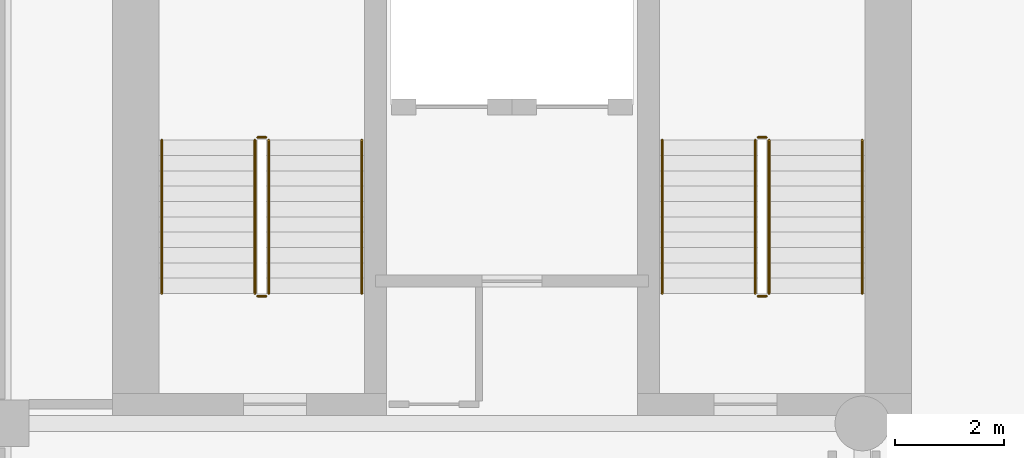
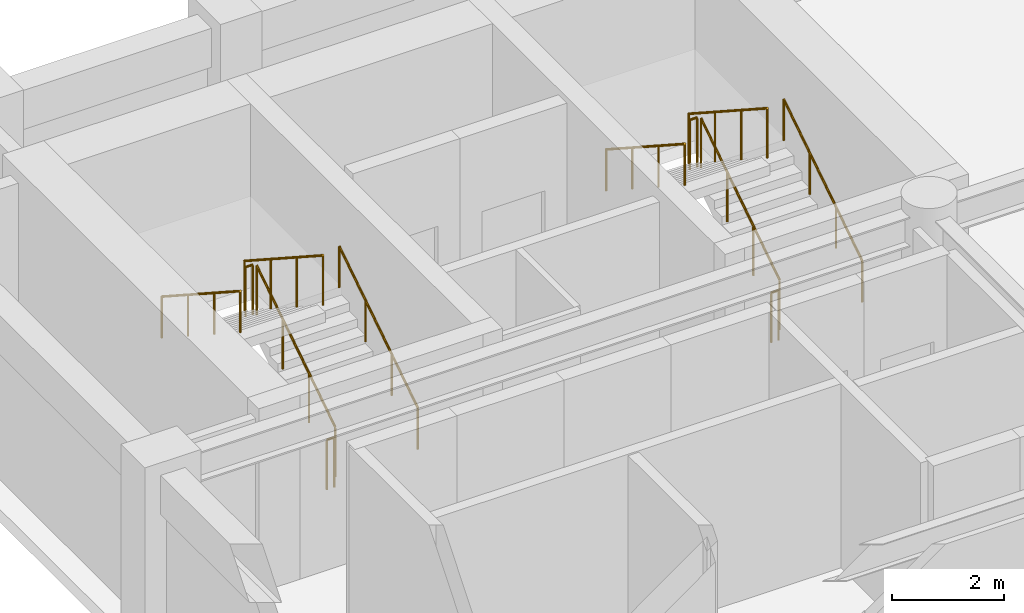
# One storey, part 7 of 8: 12 railings.
"""IFC4 building model written with IfcOpenShell, lengths in metres."""

from ifc_helpers import new_model, si_unit, direction, frame, origin, origin_2d, place, context, subcontext, project, spatial, circle, extrude, material, type_object, element, save


model = new_model("IFC4")

# Units and contexts
model_context = context("Model", 3, precision=1e-05, world=origin(), true_north=direction((0.0, 1.0)))
body_context = subcontext(model_context, "Body", "Model", "MODEL_VIEW")
ifc_project = project(units=[si_unit("LENGTHUNIT", "METRE"), si_unit("AREAUNIT", "SQUARE_METRE"), si_unit("VOLUMEUNIT", "CUBIC_METRE"), si_unit("PLANEANGLEUNIT", "RADIAN"), si_unit("MASSUNIT", "GRAM", prefix="KILO")], contexts=[model_context])

# Site, building, storey
site_placement = place(None, origin())
site = spatial("IfcSite", under=ifc_project, at=site_placement, CompositionType="ELEMENT")
building_placement = place(site_placement, origin())
building = spatial("IfcBuilding", under=site, at=building_placement, Name="Sulina Concourse Tower", CompositionType="ELEMENT")
storey_placement = place(building_placement, frame((0.0, 0.0, 124.60009765625)))
storey = spatial("IfcBuildingStorey", under=building, at=storey_placement, Name="L30", CompositionType="ELEMENT", Elevation=124.60009765625)

# Railings
ifc_material_1 = material(Name="Galvanised steel railing", Category="steel")
railing_type_1 = type_object("IfcRailingType", Name="Core Stair Steel Guardrail 1150mm", PredefinedType="GUARDRAIL", material=ifc_material_1)
railing_1_placement = place(storey_placement, frame((5.554931640625, 36.375, 0.181640625)))
element("IfcRailing", 1, at=railing_1_placement, inside=storey, type_object=railing_type_1, Name="L30 ST-1 stair guard 1", PredefinedType="GUARDRAIL", context=body_context, shape_type="SweptSolid", body=[
    extrude(circle(Radius=0.02392578125, at=origin_2d()), frame((0.0, 0.0, 1.076171875), z_axis=(0.0, 0.838672427954, 0.544636170843), x_axis=(-1.0, 0.0, 0.0)), (0.0, 0.0, 1.0), 3.338623046875),
    extrude(circle(Radius=0.02099609375, at=origin_2d()), origin(), (0.0, 0.0, 1.0), 1.052001953125),
    extrude(circle(Radius=0.02099609375, at=origin_2d()), frame((0.0, 0.933349609375, 0.606201171875)), (0.0, 0.0, 1.0), 1.052001953125),
    extrude(circle(Radius=0.02099609375, at=origin_2d()), frame((0.0, 1.86669921875, 1.212158203125)), (0.0, 0.0, 1.0), 1.052001953125),
    extrude(circle(Radius=0.02099609375, at=origin_2d()), frame((0.0, 2.800048828125, 1.818359375)), (0.0, 0.0, 1.0), 1.052001953125),
])
railing_2_placement = place(storey_placement, frame((5.5048828125, 39.22509765625, 2.0)))
element("IfcRailing", 2, at=railing_2_placement, inside=storey, type_object=railing_type_1, Name="L30 ST-1 stair guard 2", PredefinedType="GUARDRAIL", context=body_context, shape_type="SweptSolid", body=[
    extrude(circle(Radius=0.02392578125, at=origin_2d()), frame((0.0, 0.0, 1.076171875), z_axis=(-1.0, 0.0, 0.0), x_axis=(0.0, -1.0, 0.0)), (0.0, 0.0, 1.0), 0.14990234375),
    extrude(circle(Radius=0.02099609375, at=origin_2d()), origin(), (0.0, 0.0, 1.0), 1.052001953125),
    extrude(circle(Radius=0.02099609375, at=origin_2d()), frame((-0.14990234375, 0.0, 0.0)), (0.0, 0.0, 1.0), 1.052001953125),
])
railing_3_placement = place(storey_placement, frame((5.304931640625, 39.175048828125, 2.181640625)))
element("IfcRailing", 3, at=railing_3_placement, inside=storey, type_object=railing_type_1, Name="L30 ST-1 stair guard 3", PredefinedType="GUARDRAIL", context=body_context, shape_type="SweptSolid", body=[
    extrude(circle(Radius=0.02392578125, at=origin_2d()), frame((0.0, 0.0, 1.076171875), z_axis=(0.0, -0.838672427954, 0.544636170843), x_axis=(1.0, 0.0, 0.0)), (0.0, 0.0, 1.0), 3.338623046875),
    extrude(circle(Radius=0.02099609375, at=origin_2d()), origin(), (0.0, 0.0, 1.0), 1.052001953125),
    extrude(circle(Radius=0.02099609375, at=origin_2d()), frame((0.0, -0.933349609375, 0.606201171875)), (0.0, 0.0, 1.0), 1.052001953125),
    extrude(circle(Radius=0.02099609375, at=origin_2d()), frame((0.0, -1.86669921875, 1.212158203125)), (0.0, 0.0, 1.0), 1.052001953125),
    extrude(circle(Radius=0.02099609375, at=origin_2d()), frame((0.0, -2.800048828125, 1.818359375)), (0.0, 0.0, 1.0), 1.052001953125),
])
railing_4_placement = place(storey_placement, frame((5.5048828125, 36.324951171875, 0.0)))
element("IfcRailing", 4, at=railing_4_placement, inside=storey, type_object=railing_type_1, Name="L30 ST-1 stair guard 4", PredefinedType="GUARDRAIL", context=body_context, shape_type="SweptSolid", body=[
    extrude(circle(Radius=0.02392578125, at=origin_2d()), frame((0.0, 0.0, 1.076171875), z_axis=(-1.0, 0.0, 0.0), x_axis=(0.0, -1.0, 0.0)), (0.0, 0.0, 1.0), 0.14990234375),
    extrude(circle(Radius=0.02099609375, at=origin_2d()), origin(), (0.0, 0.0, 1.0), 1.052001953125),
    extrude(circle(Radius=0.02099609375, at=origin_2d()), frame((-0.14990234375, 0.0, 0.0)), (0.0, 0.0, 1.0), 1.052001953125),
])
railing_5_placement = place(storey_placement, frame((14.695068359375, 36.375, 0.181640625)))
element("IfcRailing", 5, at=railing_5_placement, inside=storey, type_object=railing_type_1, Name="L30 ST-2 stair guard 1", PredefinedType="GUARDRAIL", context=body_context, shape_type="SweptSolid", body=[
    extrude(circle(Radius=0.02392578125, at=origin_2d()), frame((0.0, 0.0, 1.076171875), z_axis=(0.0, 0.838672427954, 0.544636170843), x_axis=(-1.0, 0.0, 0.0)), (0.0, 0.0, 1.0), 3.338623046875),
    extrude(circle(Radius=0.02099609375, at=origin_2d()), origin(), (0.0, 0.0, 1.0), 1.052001953125),
    extrude(circle(Radius=0.02099609375, at=origin_2d()), frame((0.0, 0.933349609375, 0.606201171875)), (0.0, 0.0, 1.0), 1.052001953125),
    extrude(circle(Radius=0.02099609375, at=origin_2d()), frame((0.0, 1.86669921875, 1.212158203125)), (0.0, 0.0, 1.0), 1.052001953125),
    extrude(circle(Radius=0.02099609375, at=origin_2d()), frame((0.0, 2.800048828125, 1.818359375)), (0.0, 0.0, 1.0), 1.052001953125),
])
railing_6_placement = place(storey_placement, frame((14.64501953125, 39.22509765625, 2.0)))
element("IfcRailing", 6, at=railing_6_placement, inside=storey, type_object=railing_type_1, Name="L30 ST-2 stair guard 2", PredefinedType="GUARDRAIL", context=body_context, shape_type="SweptSolid", body=[
    extrude(circle(Radius=0.02392578125, at=origin_2d()), frame((0.0, 0.0, 1.076171875), z_axis=(-1.0, 0.0, 0.0), x_axis=(0.0, -1.0, 0.0)), (0.0, 0.0, 1.0), 0.14990234375),
    extrude(circle(Radius=0.02099609375, at=origin_2d()), origin(), (0.0, 0.0, 1.0), 1.052001953125),
    extrude(circle(Radius=0.02099609375, at=origin_2d()), frame((-0.14990234375, 0.0, 0.0)), (0.0, 0.0, 1.0), 1.052001953125),
])
railing_7_placement = place(storey_placement, frame((14.445068359375, 39.175048828125, 2.181640625)))
element("IfcRailing", 7, at=railing_7_placement, inside=storey, type_object=railing_type_1, Name="L30 ST-2 stair guard 3", PredefinedType="GUARDRAIL", context=body_context, shape_type="SweptSolid", body=[
    extrude(circle(Radius=0.02392578125, at=origin_2d()), frame((0.0, 0.0, 1.076171875), z_axis=(0.0, -0.838672427954, 0.544636170843), x_axis=(1.0, 0.0, 0.0)), (0.0, 0.0, 1.0), 3.338623046875),
    extrude(circle(Radius=0.02099609375, at=origin_2d()), origin(), (0.0, 0.0, 1.0), 1.052001953125),
    extrude(circle(Radius=0.02099609375, at=origin_2d()), frame((0.0, -0.933349609375, 0.606201171875)), (0.0, 0.0, 1.0), 1.052001953125),
    extrude(circle(Radius=0.02099609375, at=origin_2d()), frame((0.0, -1.86669921875, 1.212158203125)), (0.0, 0.0, 1.0), 1.052001953125),
    extrude(circle(Radius=0.02099609375, at=origin_2d()), frame((0.0, -2.800048828125, 1.818359375)), (0.0, 0.0, 1.0), 1.052001953125),
])
railing_8_placement = place(storey_placement, frame((14.64501953125, 36.324951171875, 0.0)))
element("IfcRailing", 8, at=railing_8_placement, inside=storey, type_object=railing_type_1, Name="L30 ST-2 stair guard 4", PredefinedType="GUARDRAIL", context=body_context, shape_type="SweptSolid", body=[
    extrude(circle(Radius=0.02392578125, at=origin_2d()), frame((0.0, 0.0, 1.076171875), z_axis=(-1.0, 0.0, 0.0), x_axis=(0.0, -1.0, 0.0)), (0.0, 0.0, 1.0), 0.14990234375),
    extrude(circle(Radius=0.02099609375, at=origin_2d()), origin(), (0.0, 0.0, 1.0), 1.052001953125),
    extrude(circle(Radius=0.02099609375, at=origin_2d()), frame((-0.14990234375, 0.0, 0.0)), (0.0, 0.0, 1.0), 1.052001953125),
])
ifc_material_2 = material(Name="Galvanised steel railing", Category="steel")
railing_type_2 = type_object("IfcRailingType", Name="Stair Wall Steel Handrail 920mm", PredefinedType="HANDRAIL", material=ifc_material_2)
railing_9_placement = place(storey_placement, frame((7.2548828125, 36.375, 0.181640625)))
element("IfcRailing", 9, at=railing_9_placement, inside=storey, type_object=railing_type_2, Name="L30 ST-1 stair handrail 1", PredefinedType="HANDRAIL", context=body_context, shape_type="SweptSolid", body=[
    extrude(circle(Radius=0.02392578125, at=origin_2d()), frame((0.0, 0.0, 0.89599609375), z_axis=(0.0, 0.838672427954, 0.544636170843), x_axis=(-1.0, 0.0, 0.0)), (0.0, 0.0, 1.0), 3.338623046875),
    extrude(circle(Radius=0.02099609375, at=origin_2d()), origin(), (0.0, 0.0, 1.0), 0.871826171875),
    extrude(circle(Radius=0.02099609375, at=origin_2d()), frame((0.0, 0.933349609375, 0.606201171875)), (0.0, 0.0, 1.0), 0.871826171875),
    extrude(circle(Radius=0.02099609375, at=origin_2d()), frame((0.0, 1.86669921875, 1.212158203125)), (0.0, 0.0, 1.0), 0.871826171875),
    extrude(circle(Radius=0.02099609375, at=origin_2d()), frame((0.0, 2.800048828125, 1.818359375)), (0.0, 0.0, 1.0), 0.871826171875),
])
railing_10_placement = place(storey_placement, frame((3.60498046875, 39.175048828125, 2.181640625)))
element("IfcRailing", 10, at=railing_10_placement, inside=storey, type_object=railing_type_2, Name="L30 ST-1 stair handrail 2", PredefinedType="HANDRAIL", context=body_context, shape_type="SweptSolid", body=[
    extrude(circle(Radius=0.02392578125, at=origin_2d()), frame((0.0, 0.0, 0.89599609375), z_axis=(0.0, -0.838672427954, 0.544636170843), x_axis=(1.0, 0.0, 0.0)), (0.0, 0.0, 1.0), 3.338623046875),
    extrude(circle(Radius=0.02099609375, at=origin_2d()), origin(), (0.0, 0.0, 1.0), 0.871826171875),
    extrude(circle(Radius=0.02099609375, at=origin_2d()), frame((0.0, -0.933349609375, 0.606201171875)), (0.0, 0.0, 1.0), 0.871826171875),
    extrude(circle(Radius=0.02099609375, at=origin_2d()), frame((0.0, -1.86669921875, 1.212158203125)), (0.0, 0.0, 1.0), 0.871826171875),
    extrude(circle(Radius=0.02099609375, at=origin_2d()), frame((0.0, -2.800048828125, 1.818359375)), (0.0, 0.0, 1.0), 0.871826171875),
])
railing_11_placement = place(storey_placement, frame((16.39501953125, 36.375, 0.181640625)))
element("IfcRailing", 11, at=railing_11_placement, inside=storey, type_object=railing_type_2, Name="L30 ST-2 stair handrail 1", PredefinedType="HANDRAIL", context=body_context, shape_type="SweptSolid", body=[
    extrude(circle(Radius=0.02392578125, at=origin_2d()), frame((0.0, 0.0, 0.89599609375), z_axis=(0.0, 0.838672427954, 0.544636170843), x_axis=(-1.0, 0.0, 0.0)), (0.0, 0.0, 1.0), 3.338623046875),
    extrude(circle(Radius=0.02099609375, at=origin_2d()), origin(), (0.0, 0.0, 1.0), 0.871826171875),
    extrude(circle(Radius=0.02099609375, at=origin_2d()), frame((0.0, 0.933349609375, 0.606201171875)), (0.0, 0.0, 1.0), 0.871826171875),
    extrude(circle(Radius=0.02099609375, at=origin_2d()), frame((0.0, 1.86669921875, 1.212158203125)), (0.0, 0.0, 1.0), 0.871826171875),
    extrude(circle(Radius=0.02099609375, at=origin_2d()), frame((0.0, 2.800048828125, 1.818359375)), (0.0, 0.0, 1.0), 0.871826171875),
])
railing_12_placement = place(storey_placement, frame((12.7451171875, 39.175048828125, 2.181640625)))
element("IfcRailing", 12, at=railing_12_placement, inside=storey, type_object=railing_type_2, Name="L30 ST-2 stair handrail 2", PredefinedType="HANDRAIL", context=body_context, shape_type="SweptSolid", body=[
    extrude(circle(Radius=0.02392578125, at=origin_2d()), frame((0.0, 0.0, 0.89599609375), z_axis=(0.0, -0.838672427954, 0.544636170843), x_axis=(1.0, 0.0, 0.0)), (0.0, 0.0, 1.0), 3.338623046875),
    extrude(circle(Radius=0.02099609375, at=origin_2d()), origin(), (0.0, 0.0, 1.0), 0.871826171875),
    extrude(circle(Radius=0.02099609375, at=origin_2d()), frame((0.0, -0.933349609375, 0.606201171875)), (0.0, 0.0, 1.0), 0.871826171875),
    extrude(circle(Radius=0.02099609375, at=origin_2d()), frame((0.0, -1.86669921875, 1.212158203125)), (0.0, 0.0, 1.0), 0.871826171875),
    extrude(circle(Radius=0.02099609375, at=origin_2d()), frame((0.0, -2.800048828125, 1.818359375)), (0.0, 0.0, 1.0), 0.871826171875),
])

save(model, "model.ifc")
